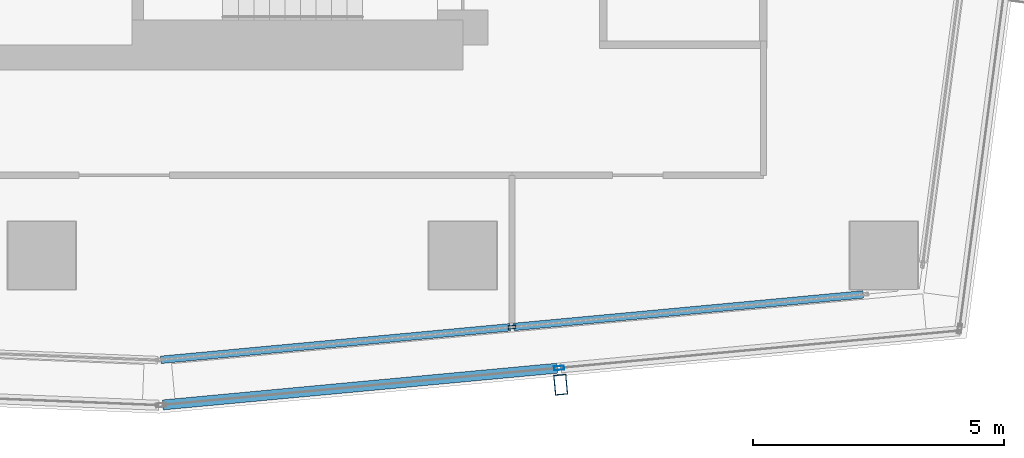
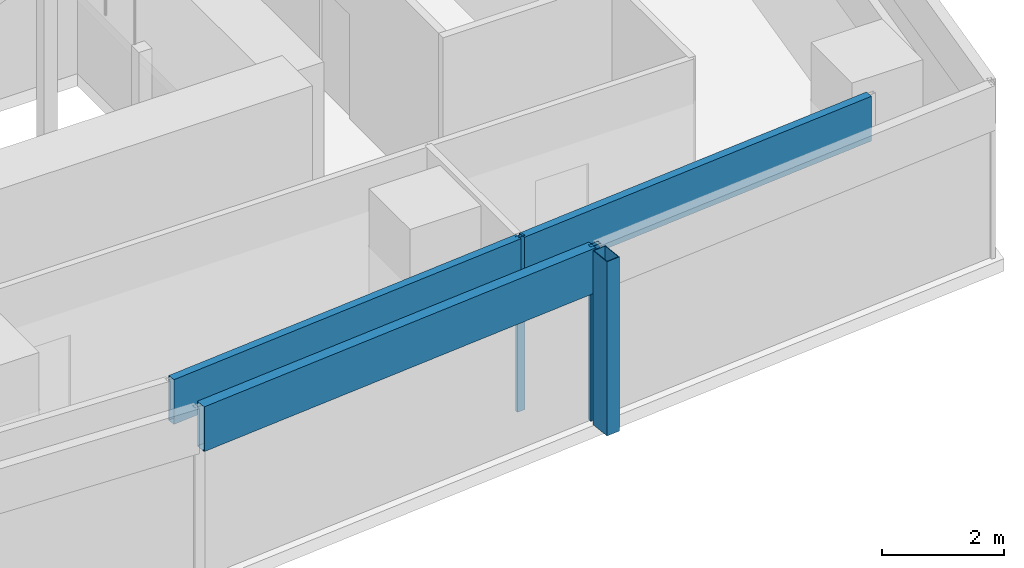
# One storey, part 11 of 39: 6 members, 2 elements without a shape of their own.
"""IFC4 building model written with IfcOpenShell, lengths in metres."""

from ifc_helpers import new_model, si_unit, direction, frame, origin, origin_2d, place, context, subcontext, project, spatial, hollow_rectangle, extrude, material, material_profile, profile_set, type_object, element, aggregate, save


model = new_model("IFC4")

# Units and contexts
model_context = context("Model", 3, precision=1e-05, world=origin(), true_north=direction((0.0, 1.0)))
body_context = subcontext(model_context, "Body", "Model", "MODEL_VIEW")
ifc_project = project(units=[si_unit("LENGTHUNIT", "METRE"), si_unit("AREAUNIT", "SQUARE_METRE"), si_unit("VOLUMEUNIT", "CUBIC_METRE"), si_unit("PLANEANGLEUNIT", "RADIAN"), si_unit("MASSUNIT", "GRAM", prefix="KILO")], contexts=[model_context])

# Site, building, storey
site_placement = place(None, origin())
site = spatial("IfcSite", under=ifc_project, at=site_placement, CompositionType="ELEMENT")
building_placement = place(site_placement, origin())
building = spatial("IfcBuilding", under=site, at=building_placement, Name="Rekha Terrace Tower", CompositionType="ELEMENT")
storey_placement = place(building_placement, frame((0.0, 0.0, 225.199951171875)))
storey = spatial("IfcBuildingStorey", under=building, at=storey_placement, Name="L57", CompositionType="ELEMENT", Elevation=225.199951171875)

# Curtain wall, member
ifc_material_1 = material(Name="Aluminium framing", Category="aluminium")
curtain_wall_type_1 = type_object("IfcCurtainWallType", Name="CW2 double skin outer glazing", PredefinedType="USERDEFINED", material=ifc_material_1)
curtain_wall_1_placement = place(storey_placement, origin())
curtain_wall_1 = element("IfcCurtainWall", 1, at=curtain_wall_1_placement, inside=storey, type_object=curtain_wall_type_1, Name="CW2 double skin outer glazing", ObjectType="DOUBLE SKIN OUTER GLAZING", PredefinedType="USERDEFINED")
ifc_material_2 = material(Name="Steel S355 with fluorocarbon finish", Category="steel")
ifc_material_profile_1 = material_profile(ifc_material_2, hollow_rectangle(XDim=0.25, YDim=0.39990234375, WallThickness=0.012451171875, at=origin_2d()), Name="RHS400x250x12.5")
ifc_profile_set_1 = profile_set([ifc_material_profile_1], Name="Steel S355 with fluorocarbon finish")
member_type_1 = type_object("IfcMemberType", Name="BL1 facade blade RHS 400 x 250", PredefinedType="USERDEFINED", material=ifc_profile_set_1)
member_1_placement = place(storey_placement, frame((52.35302734375, 14.22021484375, 0.0), z_axis=(0.0, 0.0, 1.0), x_axis=(0.995693203185, 0.092709466242, 0.0)))
member_1 = element("IfcMember", 2, at=member_1_placement, type_object=member_type_1, Name="Facade blade", ObjectType="FACADE BLADE", PredefinedType="USERDEFINED", context=body_context, shape_type="SweptSolid", body=[
    extrude(hollow_rectangle(XDim=0.25, YDim=0.39990234375, WallThickness=0.012451171875, at=origin_2d()), origin(), (0.0, 0.0, 1.0), 3.5),
])

# Curtain wall, members
curtain_wall_type_2 = type_object("IfcCurtainWallType", Name="CW1 double skin inner glazing", PredefinedType="USERDEFINED", material=ifc_material_1)
curtain_wall_2_placement = place(storey_placement, origin())
curtain_wall_2 = element("IfcCurtainWall", 3, at=curtain_wall_2_placement, inside=storey, type_object=curtain_wall_type_2, Name="CW1 double skin inner glazing", ObjectType="DOUBLE SKIN INNER GLAZING", PredefinedType="USERDEFINED")
ifc_material_3 = material(Name="Aluminium mullion section", Category="aluminium")
ifc_material_profile_2 = material_profile(ifc_material_3, hollow_rectangle(XDim=0.06494140625, YDim=0.14990234375, WallThickness=0.00390625, at=origin_2d()), Name="AL RHS 65x150")
ifc_profile_set_2 = profile_set([ifc_material_profile_2], Name="Aluminium mullion section")
member_type_2 = type_object("IfcMemberType", Name="CW1 mullion RHS 65 x 150", PredefinedType="MULLION", material=ifc_profile_set_2)
member_2_placement = place(storey_placement, frame((51.3818359375, 15.370361328125, 0.0), z_axis=(0.0, 0.0, 1.0), x_axis=(-0.092708869564, 0.995693258742, 0.0)))
member_2 = element("IfcMember", 4, at=member_2_placement, type_object=member_type_2, Name="CW1 mullion 2", PredefinedType="MULLION", context=body_context, shape_type="SweptSolid", body=[
    extrude(hollow_rectangle(XDim=0.06494140625, YDim=0.14990234375, WallThickness=0.00390625, at=origin_2d()), origin(), (0.0, 0.0, 1.0), 3.5),
])
ifc_material_4 = material(Name="Insulated aluminium spandrel box", Category="aluminium")
ifc_material_profile_3 = material_profile(ifc_material_4, hollow_rectangle(XDim=0.14990234375, YDim=0.89990234375, WallThickness=0.0029296875, at=origin_2d()), Name="AL SPANDREL BOX 150x900")
ifc_profile_set_3 = profile_set([ifc_material_profile_3], Name="Insulated aluminium spandrel box")
member_type_3 = type_object("IfcMemberType", Name="CW1 spandrel transom 150 x 900", PredefinedType="USERDEFINED", material=ifc_profile_set_3)
member_3_placement = place(storey_placement, frame((44.376708984375, 14.718017578125, 3.050048828125), z_axis=(0.995694259474, 0.092698121072, 0.0), x_axis=(-0.092698121072, 0.995694259474, 0.0)))
member_3 = element("IfcMember", 5, at=member_3_placement, type_object=member_type_3, Name="CW1 spandrel transom 1", ObjectType="TRANSOM", PredefinedType="USERDEFINED", context=body_context, shape_type="SweptSolid", body=[
    extrude(hollow_rectangle(XDim=0.14990234375, YDim=0.89990234375, WallThickness=0.0029296875, at=origin_2d()), origin(), (0.0, 0.0, 1.0), 7.003173828125),
])
member_4_placement = place(storey_placement, frame((51.414306640625, 15.373291015625, 3.050048828125), z_axis=(0.995694259474, 0.092698121072, 0.0), x_axis=(-0.092698121072, 0.995694259474, 0.0)))
member_4 = element("IfcMember", 6, at=member_4_placement, type_object=member_type_3, Name="CW1 spandrel transom 2", ObjectType="TRANSOM", PredefinedType="USERDEFINED", context=body_context, shape_type="SweptSolid", body=[
    extrude(hollow_rectangle(XDim=0.14990234375, YDim=0.89990234375, WallThickness=0.0029296875, at=origin_2d()), origin(), (0.0, 0.0, 1.0), 7.003173828125),
])
aggregate(curtain_wall_2, [member_2, member_3, member_4])

# Member
ifc_material_profile_4 = material_profile(ifc_material_3, hollow_rectangle(XDim=0.080078125, YDim=0.199951171875, WallThickness=0.00390625, at=origin_2d()), Name="AL RHS 80x200")
ifc_profile_set_4 = profile_set([ifc_material_profile_4], Name="Aluminium mullion section")
member_type_4 = type_object("IfcMemberType", Name="CW2 mullion RHS 80 x 200", PredefinedType="MULLION", material=ifc_profile_set_4)
member_5_placement = place(storey_placement, frame((52.322021484375, 14.553955078125, 0.0), z_axis=(0.0, 0.0, 1.0), x_axis=(-0.092708869512, 0.995693258747, 0.0)))
member_5 = element("IfcMember", 7, at=member_5_placement, type_object=member_type_4, Name="CW2 mullion 2", PredefinedType="MULLION", context=body_context, shape_type="SweptSolid", body=[
    extrude(hollow_rectangle(XDim=0.080078125, YDim=0.199951171875, WallThickness=0.00390625, at=origin_2d()), origin(), (0.0, 0.0, 1.0), 3.5),
])

ifc_material_profile_5 = material_profile(ifc_material_4, hollow_rectangle(XDim=0.199951171875, YDim=0.89990234375, WallThickness=0.0029296875, at=origin_2d()), Name="AL SPANDREL BOX 200x900")
ifc_profile_set_5 = profile_set([ifc_material_profile_5], Name="Insulated aluminium spandrel box")
member_type_5 = type_object("IfcMemberType", Name="CW2 spandrel transom 200 x 900", PredefinedType="USERDEFINED", material=ifc_profile_set_5)
member_6_placement = place(storey_placement, frame((44.41552734375, 13.817626953125, 3.050048828125), z_axis=(0.995690937161, 0.092733799963, 0.0), x_axis=(-0.092733799963, 0.995690937161, 0.0)))
member_6 = element("IfcMember", 8, at=member_6_placement, type_object=member_type_5, Name="CW2 spandrel transom 1", ObjectType="TRANSOM", PredefinedType="USERDEFINED", context=body_context, shape_type="SweptSolid", body=[
    extrude(hollow_rectangle(XDim=0.199951171875, YDim=0.89990234375, WallThickness=0.0029296875, at=origin_2d()), origin(), (0.0, 0.0, 1.0), 7.900634765625),
])

aggregate(curtain_wall_1, [member_5, member_6, member_1])

save(model, "model.ifc")
